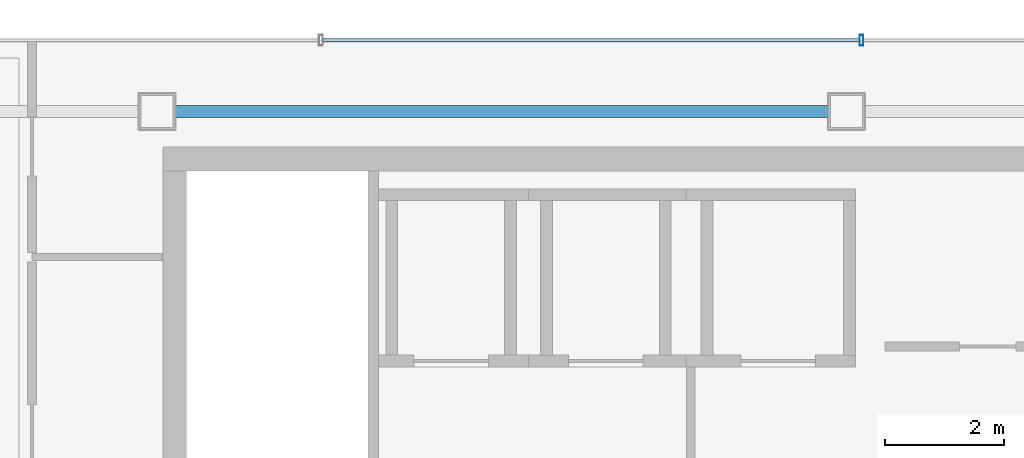
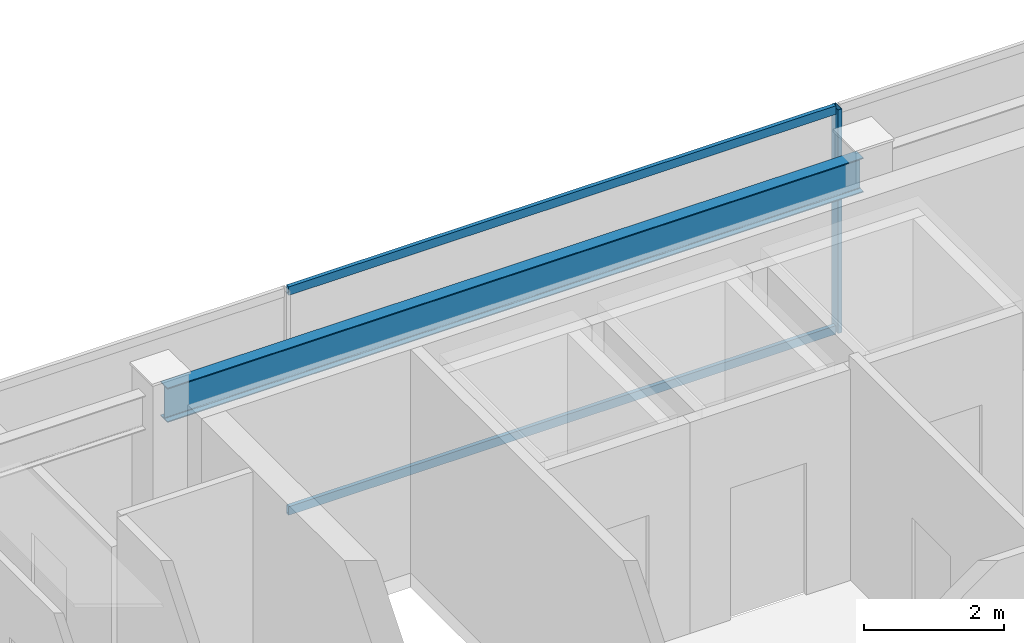
# One storey, part 7 of 17: 3 members, 1 beam, 1 element without a shape of its own.
"""IFC4 building model written with IfcOpenShell, lengths in metres."""

import ifcopenshell
import ifcopenshell.guid

model = None  # the IFC model being written
_history = None  # IfcOwnerHistory: only IFC2X3 demands one
_inside = {}  # id of a spatial element -> (the spatial element, [elements in it])
_under = {}  # id of a project, library or spatial element -> (it, [spatial elements below it])
_declared = {}  # id of a project -> (the project, [libraries it declares])
_typed = {}  # id of a type object -> (the type object, [elements of that type])
_made_of = {}  # id of a material, layer set ... -> (it, [elements and type objects made of it])


def new_model(schema):
    """Start an empty IFC model of exactly this schema.

    Asked for "IFC4X3", IfcOpenShell would pick the latest addendum, in which some entities
    have other attributes; the version numbers below select the first issue.
    IFC2X3 requires an IfcOwnerHistory on every rooted entity: one is made here for all.
    """
    global model, _history
    if schema == "IFC4X3":
        model = ifcopenshell.file(schema_version=(4, 3, 0, 0))
    else:
        model = ifcopenshell.file(schema=schema)
    _inside.clear()
    _under.clear()
    _declared.clear()
    _typed.clear()
    _made_of.clear()
    _history = None
    if model.schema == "IFC2X3":
        org = make("IfcOrganization", Name="unknown")
        user = make(
            "IfcPersonAndOrganization",
            ThePerson=make("IfcPerson", FamilyName="unknown"),
            TheOrganization=org,
        )
        app = make(
            "IfcApplication",
            ApplicationDeveloper=org,
            Version="unknown",
            ApplicationFullName="unknown",
            ApplicationIdentifier="unknown",
        )
        _history = make(
            "IfcOwnerHistory",
            OwningUser=user,
            OwningApplication=app,
            ChangeAction="ADDED",
            CreationDate=0,
        )
    return model


def make(cls, **values):
    """One entity of the class cls with the attributes given. An attribute that is None is left unset."""
    return model.create_entity(
        cls, **{name: value for name, value in values.items() if value is not None}
    )


def rooted(cls, **values):
    """An entity with a GlobalId (a new one), such as an element, a storey or a relation."""
    return make(cls, GlobalId=ifcopenshell.guid.new(), OwnerHistory=_history, **values)


def si_unit(unit_type, name, prefix=None):
    """IfcSIUnit, for example si_unit("LENGTHUNIT", "METRE", prefix="MILLI")."""
    return make("IfcSIUnit", UnitType=unit_type, Prefix=prefix, Name=name)


def assignment(units):
    """IfcUnitAssignment: the units of a project."""
    return None if units is None else make("IfcUnitAssignment", Units=units)


def point(xyz):
    """IfcCartesianPoint."""
    return None if xyz is None else make("IfcCartesianPoint", Coordinates=xyz)


def direction(xyz):
    """IfcDirection."""
    return None if xyz is None else make("IfcDirection", DirectionRatios=xyz)


def frame(location, z_axis=None, x_axis=None):
    """IfcAxis2Placement3D, a coordinate frame: its origin and axes. An axis left out is left unset."""
    return make(
        "IfcAxis2Placement3D",
        Location=point(location),
        Axis=direction(z_axis),
        RefDirection=direction(x_axis),
    )


def frame_2d(location, x_axis=None):
    """IfcAxis2Placement2D, a coordinate frame in the plane: its origin and x axis."""
    return make(
        "IfcAxis2Placement2D", Location=point(location), RefDirection=direction(x_axis)
    )


def origin():
    """The frame at (0, 0, 0) with its axes left unset."""
    return frame((0.0, 0.0, 0.0))


def origin_2d():
    """The frame at (0, 0) in the plane with its x axis left unset."""
    return frame_2d((0.0, 0.0))


def place(relative_to, where):
    """IfcLocalPlacement: puts the frame where relative to a parent placement (None: the world)."""
    return make(
        "IfcLocalPlacement", PlacementRelTo=relative_to, RelativePlacement=where
    )


def context(
    kind, dimensions, precision=None, world=None, true_north=None, identifier=None
):
    """IfcGeometricRepresentationContext, for example the 3D "Model" context."""
    return make(
        "IfcGeometricRepresentationContext",
        ContextIdentifier=identifier,
        ContextType=kind,
        CoordinateSpaceDimension=dimensions,
        Precision=precision,
        WorldCoordinateSystem=world,
        TrueNorth=true_north,
    )


def subcontext(parent, identifier, kind, view, scale=None):
    """IfcGeometricRepresentationSubContext, for example "Body" below "Model"."""
    return make(
        "IfcGeometricRepresentationSubContext",
        ContextIdentifier=identifier,
        ContextType=kind,
        ParentContext=parent,
        TargetScale=scale,
        TargetView=view,
    )


def project(units=None, contexts=None):
    """IfcProject with its units and contexts."""
    return rooted(
        "IfcProject",
        Name="project",
        RepresentationContexts=contexts,
        UnitsInContext=assignment(units),
    )


def spatial(cls, under=None, at=None, **own):
    """A site, building, storey or space (cls), placed at a placement, below another one or the project."""
    s = rooted(cls, ObjectPlacement=at, **own)
    if under is not None:
        _under.setdefault(under.id(), (under, []))[1].append(s)
    return s


def profile(cls, at=None, kind="AREA", **sizes):
    """A parametric profile (cls). Its sizes go by their IFC names, for example OverallWidth=200.0."""
    return make(cls, ProfileType=kind, Position=at, **sizes)


def hollow_rectangle(**sizes):
    """IfcRectangleHollowProfileDef."""
    return profile("IfcRectangleHollowProfileDef", **sizes)


def i_section(**sizes):
    """IfcIShapeProfileDef."""
    return profile("IfcIShapeProfileDef", **sizes)


def extrude(swept, where, along, depth):
    """IfcExtrudedAreaSolid: the profile swept, set in the frame where, extruded along a direction by depth."""
    return make(
        "IfcExtrudedAreaSolid",
        SweptArea=swept,
        Position=where,
        ExtrudedDirection=direction(along),
        Depth=depth,
    )


def shape(context_of_items, identifier, shape_type, items):
    """IfcShapeRepresentation: the items that make up one representation, for example the "Body"."""
    return make(
        "IfcShapeRepresentation",
        ContextOfItems=context_of_items,
        RepresentationIdentifier=identifier,
        RepresentationType=shape_type,
        Items=items,
    )


def material(Name=None, Category=None):
    """IfcMaterial."""
    return make("IfcMaterial", Name=Name, Category=Category)


def material_profile(
    of_material, cross_section, Name=None, Category=None, Priority=None
):
    """IfcMaterialProfile: a cross section and its material."""
    return make(
        "IfcMaterialProfile",
        Name=Name,
        Material=of_material,
        Profile=cross_section,
        Priority=Priority,
        Category=Category,
    )


def profile_set(profiles, Name=None, composite=None):
    """IfcMaterialProfileSet."""
    return make(
        "IfcMaterialProfileSet",
        Name=Name,
        MaterialProfiles=profiles,
        CompositeProfile=composite,
    )


def made_of(thing, what):
    """Note that an element or type object is made of a material, layer set ...; save() writes the relation."""
    if what is not None:
        _made_of.setdefault(what.id(), (what, []))[1].append(thing)
    return thing


def type_object(cls, material=None, **own):
    """A type object (cls), such as IfcWallType, which elements share."""
    return made_of(rooted(cls, **own), material)


def element(
    cls,
    number,
    at=None,
    inside=None,
    cuts=None,
    type_object=None,
    material=None,
    context=None,
    identifier="Body",
    shape_type=None,
    held_by="IfcProductDefinitionShape",
    body=None,
    shapes=None,
    **own,
):
    """One element of the class cls, such as IfcWall. Its Tag is "e" and its number.

    at: its placement. inside: the storey or other place that contains it. cuts: it is an
    opening in that element (IfcRelVoidsElement). A single representation is given by context,
    identifier, shape_type and body (its items); several are given by shapes. held_by: the class
    of the entity that holds the representations. save() writes the other relations.
    """
    e = rooted(cls, Tag="e%d" % number, ObjectPlacement=at, **own)
    if body is not None:
        shapes = [shape(context, identifier, shape_type, body)]
    if shapes is not None:
        e.Representation = make(held_by, Representations=shapes)
    if inside is not None:
        _inside.setdefault(inside.id(), (inside, []))[1].append(e)
    if cuts is not None:
        rooted(
            "IfcRelVoidsElement", RelatingBuildingElement=cuts, RelatedOpeningElement=e
        )
    if type_object is not None:
        _typed.setdefault(type_object.id(), (type_object, []))[1].append(e)
    return made_of(e, material)


def aggregate(whole, parts):
    """IfcRelAggregates: a whole, such as a stair, and the parts it consists of."""
    return rooted("IfcRelAggregates", RelatingObject=whole, RelatedObjects=parts)


def save(model, path):
    """Write the relations noted so far, then the file.

    IfcRelAggregates (storeys below a building ...), IfcRelContainedInSpatialStructure (elements
    in a storey), IfcRelDefinesByType, IfcRelAssociatesMaterial and IfcRelDeclares: one each for
    every whole, place, type object, material and project.
    """
    for whole, parts in _under.values():
        aggregate(whole, parts)
    for where, things in _inside.values():
        rooted(
            "IfcRelContainedInSpatialStructure",
            RelatedElements=things,
            RelatingStructure=where,
        )
    for kind, things in _typed.values():
        rooted("IfcRelDefinesByType", RelatedObjects=things, RelatingType=kind)
    for what, things in _made_of.values():
        rooted("IfcRelAssociatesMaterial", RelatedObjects=things, RelatingMaterial=what)
    for by, libraries in _declared.values():
        rooted("IfcRelDeclares", RelatingContext=by, RelatedDefinitions=libraries)
    model.write(path)


model = new_model("IFC4")

# Units and contexts
model_context = context("Model", 3, precision=1e-05, world=origin(), true_north=direction((0.0, 1.0)))
body_context = subcontext(model_context, "Body", "Model", "MODEL_VIEW")
ifc_project = project(units=[si_unit("LENGTHUNIT", "METRE"), si_unit("AREAUNIT", "SQUARE_METRE"), si_unit("VOLUMEUNIT", "CUBIC_METRE"), si_unit("PLANEANGLEUNIT", "RADIAN"), si_unit("MASSUNIT", "GRAM", prefix="KILO")], contexts=[model_context])

# Site, building, storey
site_placement = place(None, origin())
site = spatial("IfcSite", under=ifc_project, at=site_placement, CompositionType="ELEMENT")
building_placement = place(site_placement, origin())
building = spatial("IfcBuilding", under=site, at=building_placement, Name="Saevonmaru Cultural Tower", CompositionType="ELEMENT")
storey_placement = place(building_placement, frame((0.0, 0.0, 323.39990234375)))
storey = spatial("IfcBuildingStorey", under=building, at=storey_placement, Name="L77", CompositionType="ELEMENT", Elevation=323.39990234375)

# Beam
ifc_material_1 = material(Name="Steel SM355", Category="steel")
ifc_material_profile_1 = material_profile(ifc_material_1, i_section(OverallWidth=0.199951171875, OverallDepth=0.60009765625, WebThickness=0.010986328125, FlangeThickness=0.01708984375, FilletRadius=0.02197265625, at=origin_2d()), Name="H-600x200x11x17")
ifc_profile_set_1 = profile_set([ifc_material_profile_1], Name="Steel SM355")
beam_type = type_object("IfcBeamType", Name="BM-SP-H600", PredefinedType="SPANDREL", material=ifc_profile_set_1)
beam_placement = place(storey_placement, frame((13.659912109375, 54.800048828125, 3.60009765625), z_axis=(1.0, 0.0, 0.0), x_axis=(0.0, 1.0, 0.0)))
element("IfcBeam", 1, at=beam_placement, inside=storey, type_object=beam_type, Name="L77 North Spine Girder 2", PredefinedType="SPANDREL", context=body_context, shape_type="SweptSolid", body=[
    extrude(i_section(OverallWidth=0.199951171875, OverallDepth=0.60009765625, WebThickness=0.010986328125, FlangeThickness=0.01708984375, FilletRadius=0.02197265625, at=origin_2d()), origin(), (0.0, 0.0, 1.0), 11.47998046875),
])

# Curtain wall, members
ifc_material_2 = material(Name="Satin Bronze Anodised Aluminium", Category="aluminium")
curtain_wall_type = type_object("IfcCurtainWallType", Name="CW-SKY-GLZ", PredefinedType="NOTDEFINED", material=ifc_material_2)
curtain_wall_placement = place(storey_placement, origin())
curtain_wall = element("IfcCurtainWall", 2, at=curtain_wall_placement, inside=storey, type_object=curtain_wall_type, Name="L77 Unitised Curtain Wall E10", PredefinedType="NOTDEFINED")
ifc_material_profile_2 = material_profile(ifc_material_2, hollow_rectangle(XDim=0.06494140625, YDim=0.179931640625, WallThickness=0.00390625, at=origin_2d()), Name="ALU-MULL-180x65x4")
ifc_profile_set_2 = profile_set([ifc_material_profile_2], Name="Satin Bronze Anodised Aluminium")
member_type_1 = type_object("IfcMemberType", Name="ML-CW-180x65", PredefinedType="MULLION", material=ifc_profile_set_2)
member_1_placement = place(storey_placement, frame((25.451904296875, 56.0, 0.0), z_axis=(0.0, 0.0, 1.0), x_axis=(-1.0, 0.0, 0.0)))
member_1 = element("IfcMember", 3, at=member_1_placement, type_object=member_type_1, Name="CW-TW-L77-E10 mullion 4", PredefinedType="MULLION", context=body_context, shape_type="SweptSolid", body=[
    extrude(hollow_rectangle(XDim=0.06494140625, YDim=0.179931640625, WallThickness=0.00390625, at=origin_2d()), origin(), (0.0, 0.0, 1.0), 3.900146484375),
])
ifc_material_profile_3 = material_profile(ifc_material_2, hollow_rectangle(XDim=0.06494140625, YDim=0.14990234375, WallThickness=0.00390625, at=origin_2d()), Name="ALU-TRAN-150x65x4")
ifc_profile_set_3 = profile_set([ifc_material_profile_3], Name="Satin Bronze Anodised Aluminium")
member_type_2 = type_object("IfcMemberType", Name="TR-CW-150x65", PredefinedType="USERDEFINED", material=ifc_profile_set_3)
member_2_placement = place(storey_placement, frame((25.41943359375, 56.0, 0.03271484375), z_axis=(-1.0, 0.0, 0.0), x_axis=(0.0, -1.0, 0.0)))
member_2 = element("IfcMember", 4, at=member_2_placement, type_object=member_type_2, Name="CW-TW-L77-E10 transom 4.1", ObjectType="TRANSOM", PredefinedType="USERDEFINED", context=body_context, shape_type="SweptSolid", body=[
    extrude(hollow_rectangle(XDim=0.06494140625, YDim=0.14990234375, WallThickness=0.00390625, at=origin_2d()), origin(), (0.0, 0.0, 1.0), 9.031005859375),
])
member_3_placement = place(storey_placement, frame((25.41943359375, 56.0, 3.86767578125), z_axis=(-1.0, 0.0, 0.0), x_axis=(0.0, -1.0, 0.0)))
member_3 = element("IfcMember", 5, at=member_3_placement, type_object=member_type_2, Name="CW-TW-L77-E10 transom 4.2", ObjectType="TRANSOM", PredefinedType="USERDEFINED", context=body_context, shape_type="SweptSolid", body=[
    extrude(hollow_rectangle(XDim=0.06494140625, YDim=0.14990234375, WallThickness=0.00390625, at=origin_2d()), origin(), (0.0, 0.0, 1.0), 9.031005859375),
])
aggregate(curtain_wall, [member_1, member_2, member_3])

save(model, "model.ifc")
